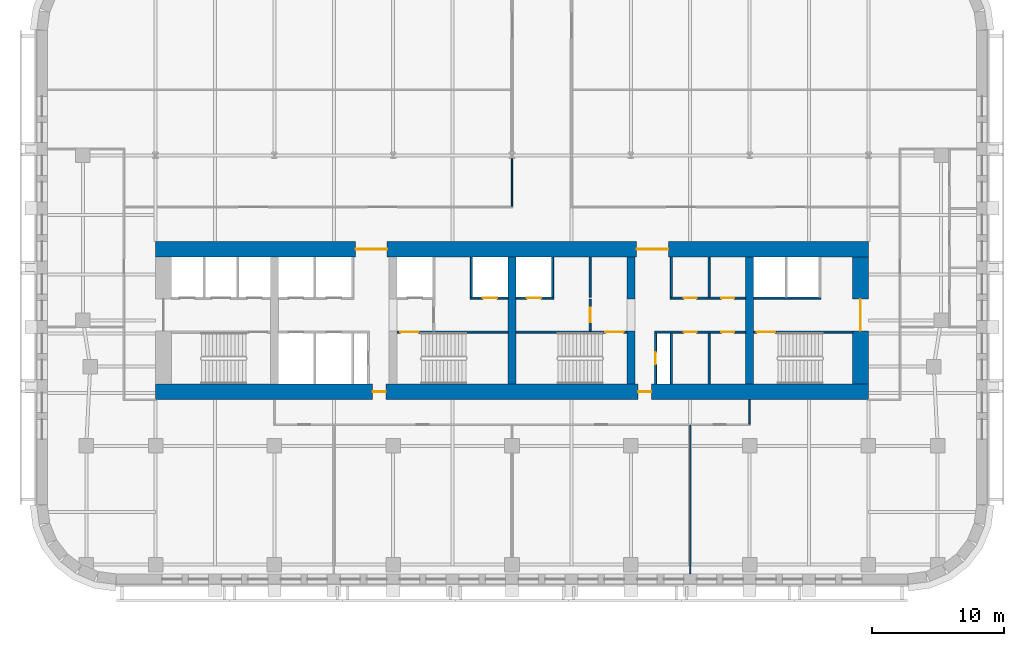
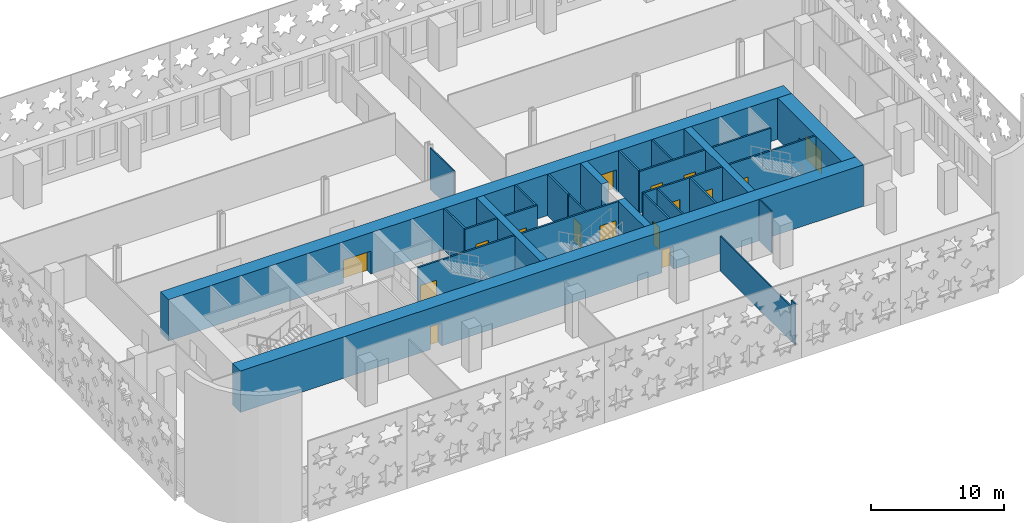
# One storey, part 6 of 15: 28 walls, 16 doors, 16 openings.
"""IFC4 building model written with IfcOpenShell, lengths in metres."""

from ifc_helpers import new_model, si_unit, direction, frame, frame_2d, origin, place, context, subcontext, project, spatial, rectangle, extrude, material, layer, layer_set, type_object, element, fill, save


model = new_model("IFC4")

# Units and contexts
model_context = context("Model", 3, precision=1e-05, world=origin(), true_north=direction((0.0, 1.0)))
body_context = subcontext(model_context, "Body", "Model", "MODEL_VIEW")
ifc_project = project(units=[si_unit("LENGTHUNIT", "METRE"), si_unit("AREAUNIT", "SQUARE_METRE"), si_unit("VOLUMEUNIT", "CUBIC_METRE"), si_unit("PLANEANGLEUNIT", "RADIAN"), si_unit("MASSUNIT", "GRAM", prefix="KILO")], contexts=[model_context])

# Site, building, storey
site_placement = place(None, origin())
site = spatial("IfcSite", under=ifc_project, at=site_placement, CompositionType="ELEMENT")
building_placement = place(site_placement, origin())
building = spatial("IfcBuilding", under=site, at=building_placement, Name="Zellij Exchange Tower", CompositionType="ELEMENT")
storey_placement = place(building_placement, frame((0.0, 0.0, 76.5)))
storey = spatial("IfcBuildingStorey", under=building, at=storey_placement, Name="L15", CompositionType="ELEMENT", Elevation=76.5)

# Walls
ifc_material_1 = material(Name="Concrete C70/85", Category="concrete")
ifc_layer_1 = layer(ifc_material_1, 0.60009765625)
ifc_layer_set_1 = layer_set([ifc_layer_1], Name="Concrete C70/85")
wall_type_1 = type_object("IfcWallType", Name="CORE-CW 600 C70/85", PredefinedType="SHEAR", material=ifc_layer_set_1)
wall_1_placement = place(storey_placement, frame((0.0, -12.800048828125, 0.0), z_axis=(0.0, 0.0, 1.0), x_axis=(0.0, 1.0, 0.0)))
element("IfcWall", 1, at=wall_1_placement, inside=storey, type_object=wall_type_1, Name="Core cross wall x 0 L15", PredefinedType="SHEAR", context=body_context, shape_type="SweptSolid", body=[
    extrude(rectangle(XDim=9.60009765625, YDim=0.60009765625, at=frame_2d((4.800048828125, 0.0))), origin(), (0.0, 0.0, 1.0), 3.800048828125),
])
wall_2_placement = place(storey_placement, frame((9.0, -12.800048828125, 0.0), z_axis=(0.0, 0.0, 1.0), x_axis=(0.0, 1.0, 0.0)))
element("IfcWall", 2, at=wall_2_placement, inside=storey, type_object=wall_type_1, Name="Core cross wall pier x 9 a L15", PredefinedType="SHEAR", context=body_context, shape_type="SweptSolid", body=[
    extrude(rectangle(XDim=4.0, YDim=0.60009765625, at=frame_2d((2.0, 0.0))), origin(), (0.0, 0.0, 1.0), 3.800048828125),
])
wall_3_placement = place(storey_placement, frame((9.0, -6.375, 0.0), z_axis=(0.0, 0.0, 1.0), x_axis=(0.0, 1.0, 0.0)))
element("IfcWall", 3, at=wall_3_placement, inside=storey, type_object=wall_type_1, Name="Core cross wall pier x 9 b L15", PredefinedType="SHEAR", context=body_context, shape_type="SweptSolid", body=[
    extrude(rectangle(XDim=3.175048828125, YDim=0.60009765625, at=frame_2d((1.58740234375, 0.0))), origin(), (0.0, 0.0, 1.0), 3.800048828125),
])
wall_4_placement = place(storey_placement, frame((18.0, -12.800048828125, 0.0), z_axis=(0.0, 0.0, 1.0), x_axis=(0.0, 1.0, 0.0)))
element("IfcWall", 4, at=wall_4_placement, inside=storey, type_object=wall_type_1, Name="Core cross wall x 18 L15", PredefinedType="SHEAR", context=body_context, shape_type="SweptSolid", body=[
    extrude(rectangle(XDim=9.60009765625, YDim=0.60009765625, at=frame_2d((4.800048828125, 0.0))), origin(), (0.0, 0.0, 1.0), 3.800048828125),
])

# Wall, opening, door
ifc_material_2 = material(Name="Gypsum shaft wall system")
ifc_layer_2 = layer(ifc_material_2, 0.14990234375)
ifc_layer_set_2 = layer_set([ifc_layer_2], Name="Gypsum shaft wall system")
wall_type_2 = type_object("IfcWallType", Name="CORE-PW 150 Firefighting lobby wall", PredefinedType="PARTITIONING", material=ifc_layer_set_2)
wall_5_placement = place(storey_placement, frame((5.925048828125, -8.800048828125, 0.0), z_axis=(0.0, 0.0, 1.0), x_axis=(0.0, 1.0, 0.0)))
wall_5 = element("IfcWall", 5, at=wall_5_placement, inside=storey, type_object=wall_type_2, Name="Firefighting lobby wall L15", PredefinedType="PARTITIONING", context=body_context, shape_type="SweptSolid", body=[
    extrude(rectangle(XDim=2.425048828125, YDim=0.14990234375, at=frame_2d((1.21240234375, 0.0))), origin(), (0.0, 0.0, 1.0), 3.800048828125),
])
opening_1_placement = place(wall_5_placement, frame((0.662109375, 0.0, 0.0)))
opening_1 = element("IfcOpeningElement", 6, at=opening_1_placement, cuts=wall_5, Name="Opening CA-09.18", PredefinedType="OPENING", context=body_context, shape_type="SweptSolid", body=[
    extrude(rectangle(XDim=1.10009765625, YDim=2.10009765625, at=frame_2d((0.550048828125, 1.050048828125))), frame((0.0, 0.0869140625, 0.0), z_axis=(0.0, -1.0, 0.0), x_axis=(1.0, 0.0, 0.0)), (0.0, 0.0, 1.0), 0.173828125),
])
ifc_material_3 = material(Name="Hollow metal fire door")
door_type_1 = type_object("IfcDoorType", Name="CORE-D F Firefighting lobby door 1100x2100 1 HR", OperationType="NOTDEFINED", PredefinedType="DOOR", material=ifc_material_3)
door_1_placement = place(opening_1_placement, origin())
door_1 = element("IfcDoor", 7, at=door_1_placement, inside=storey, type_object=door_type_1, Name="Firefighting lobby door CA-09.18", OperationType="SINGLE_SWING_RIGHT", OverallHeight=2.10009765625, OverallWidth=1.10009765625, PredefinedType="DOOR", context=body_context, shape_type="SweptSolid", body=[
    extrude(rectangle(XDim=1.10009765625, YDim=2.10009765625, at=frame_2d((0.550048828125, 1.050048828125))), frame((0.0, 0.02490234375, 0.0), z_axis=(0.0, -1.0, 0.0), x_axis=(1.0, 0.0, 0.0)), (0.0, 0.0, 1.0), 0.050048828125),
])
fill(opening_1, door_1)

# Walls
ifc_material_4 = material(Name="Gypsum board partition")
ifc_layer_3 = layer(ifc_material_4, 0.14990234375)
ifc_layer_set_3 = layer_set([ifc_layer_3], Name="Gypsum board partition")
wall_type_3 = type_object("IfcWallType", Name="CORE-PW 150 Lift lobby wall", PredefinedType="PARTITIONING", material=ifc_layer_set_3)
for number, where, z_axis, x_axis, name in (
    (8, (5.925048828125, -6.22509765625, 0.0), (0.0, 0.0, 1.0), (0.0, 1.0, 0.0), "Lift lobby wall L15"),
    (9, (12.074951171875, -6.22509765625, 0.0), (0.0, 0.0, 1.0), (0.0, 1.0, 0.0), "Lift lobby wall L15"),
    (10, (14.925048828125, -6.22509765625, 0.0), (0.0, 0.0, 1.0), (0.0, 1.0, 0.0), "Lift lobby wall L15"),
):
    element("IfcWall", number, at=place(storey_placement, frame(where, z_axis=z_axis, x_axis=x_axis)), inside=storey, type_object=wall_type_3, Name=name, PredefinedType="PARTITIONING", context=body_context, shape_type="SweptSolid", body=[
        extrude(rectangle(XDim=3.025146484375, YDim=0.14990234375, at=frame_2d((1.5126953125, 0.0))), origin(), (0.0, 0.0, 1.0), 3.800048828125),
    ])

# Wall, opening, door
wall_6_placement = place(storey_placement, frame((10.875, -12.800048828125, 0.0), z_axis=(0.0, 0.0, 1.0), x_axis=(0.0, 1.0, 0.0)))
wall_6 = element("IfcWall", 11, at=wall_6_placement, inside=storey, type_object=wall_type_3, Name="Lift lobby wall L15", PredefinedType="PARTITIONING", context=body_context, shape_type="SweptSolid", body=[
    extrude(rectangle(XDim=3.85009765625, YDim=0.14990234375, at=frame_2d((1.925048828125, 0.0))), origin(), (0.0, 0.0, 1.0), 3.800048828125),
])
opening_2_placement = place(wall_6_placement, frame((1.47509765625, 0.0, 0.0)))
opening_2 = element("IfcOpeningElement", 12, at=opening_2_placement, cuts=wall_6, Name="Opening CA-09.22", PredefinedType="OPENING", context=body_context, shape_type="SweptSolid", body=[
    extrude(rectangle(XDim=0.89990234375, YDim=2.10009765625, at=frame_2d((0.449951171875, 1.050048828125))), frame((0.0, 0.0869140625, 0.0), z_axis=(0.0, -1.0, 0.0), x_axis=(1.0, 0.0, 0.0)), (0.0, 0.0, 1.0), 0.173828125),
])
door_type_2 = type_object("IfcDoorType", Name="CORE-D RD Riser door 900x2100 1.5 HR", OperationType="NOTDEFINED", PredefinedType="DOOR", material=ifc_material_3)
door_2_placement = place(opening_2_placement, origin())
door_2 = element("IfcDoor", 13, at=door_2_placement, inside=storey, type_object=door_type_2, Name="Riser door CA-09.22", OperationType="SINGLE_SWING_LEFT", OverallHeight=2.10009765625, OverallWidth=0.89990234375, PredefinedType="DOOR", context=body_context, shape_type="SweptSolid", body=[
    extrude(rectangle(XDim=0.89990234375, YDim=2.10009765625, at=frame_2d((0.449951171875, 1.050048828125))), frame((0.0, 0.02490234375, 0.0), z_axis=(0.0, -1.0, 0.0), x_axis=(1.0, 0.0, 0.0)), (0.0, 0.0, 1.0), 0.050048828125),
])
fill(opening_2, door_2)

# Walls
for number, where, z_axis, x_axis, name in (
    (14, (12.074951171875, -12.800048828125, 0.0), (0.0, 0.0, 1.0), (0.0, 1.0, 0.0), "Lift lobby wall L15"),
    (15, (14.925048828125, -12.800048828125, 0.0), (0.0, 0.0, 1.0), (0.0, 1.0, 0.0), "Lift lobby wall L15"),
):
    element("IfcWall", number, at=place(storey_placement, frame(where, z_axis=z_axis, x_axis=x_axis)), inside=storey, type_object=wall_type_3, Name=name, PredefinedType="PARTITIONING", context=body_context, shape_type="SweptSolid", body=[
        extrude(rectangle(XDim=3.85009765625, YDim=0.14990234375, at=frame_2d((1.925048828125, 0.0))), origin(), (0.0, 0.0, 1.0), 3.800048828125),
    ])

# Wall, openings, doors
wall_7_placement = place(storey_placement, frame((12.0, -6.300048828125, 0.0), z_axis=(0.0, 0.0, 1.0), x_axis=(1.0, 0.0, 0.0)))
wall_7 = element("IfcWall", 16, at=wall_7_placement, inside=storey, type_object=wall_type_3, Name="Lift lobby wall L15", PredefinedType="PARTITIONING", context=body_context, shape_type="SweptSolid", body=[
    extrude(rectangle(XDim=5.699951171875, YDim=0.14990234375, at=frame_2d((2.85009765625, 0.0))), origin(), (0.0, 0.0, 1.0), 3.800048828125),
])
opening_3_placement = place(wall_7_placement, frame((1.0, 0.0, 0.0)))
opening_3 = element("IfcOpeningElement", 17, at=opening_3_placement, cuts=wall_7, Name="Opening CA-09.24", PredefinedType="OPENING", context=body_context, shape_type="SweptSolid", body=[
    extrude(rectangle(XDim=1.0, YDim=2.10009765625, at=frame_2d((0.5, 1.050048828125))), frame((0.0, 0.0869140625, 0.0), z_axis=(0.0, -1.0, 0.0), x_axis=(1.0, 0.0, 0.0)), (0.0, 0.0, 1.0), 0.173828125),
])
opening_4_placement = place(wall_7_placement, frame((3.85009765625, 0.0, 0.0)))
opening_4 = element("IfcOpeningElement", 18, at=opening_4_placement, cuts=wall_7, Name="Opening CA-09.26", PredefinedType="OPENING", context=body_context, shape_type="SweptSolid", body=[
    extrude(rectangle(XDim=1.0, YDim=2.10009765625, at=frame_2d((0.5, 1.050048828125))), frame((0.0, 0.0869140625, 0.0), z_axis=(0.0, -1.0, 0.0), x_axis=(1.0, 0.0, 0.0)), (0.0, 0.0, 1.0), 0.173828125),
])
door_type_3 = type_object("IfcDoorType", Name="CORE-D CD Core room door 1000x2100 1 HR", OperationType="NOTDEFINED", PredefinedType="DOOR", material=ifc_material_3)
door_3_placement = place(opening_3_placement, origin())
door_3 = element("IfcDoor", 19, at=door_3_placement, inside=storey, type_object=door_type_3, Name="Core room door CA-09.24", OperationType="SINGLE_SWING_LEFT", OverallHeight=2.10009765625, OverallWidth=1.0, PredefinedType="DOOR", context=body_context, shape_type="SweptSolid", body=[
    extrude(rectangle(XDim=1.0, YDim=2.10009765625, at=frame_2d((0.5, 1.050048828125))), frame((0.0, 0.02490234375, 0.0), z_axis=(0.0, -1.0, 0.0), x_axis=(1.0, 0.0, 0.0)), (0.0, 0.0, 1.0), 0.050048828125),
])
fill(opening_3, door_3)
door_4_placement = place(opening_4_placement, origin())
door_4 = element("IfcDoor", 20, at=door_4_placement, inside=storey, type_object=door_type_3, Name="Core room door CA-09.26", OperationType="SINGLE_SWING_RIGHT", OverallHeight=2.10009765625, OverallWidth=1.0, PredefinedType="DOOR", context=body_context, shape_type="SweptSolid", body=[
    extrude(rectangle(XDim=1.0, YDim=2.10009765625, at=frame_2d((0.5, 1.050048828125))), frame((0.0, 0.02490234375, 0.0), z_axis=(0.0, -1.0, 0.0), x_axis=(1.0, 0.0, 0.0)), (0.0, 0.0, 1.0), 0.050048828125),
])
fill(opening_4, door_4)

wall_8_placement = place(storey_placement, frame((10.800048828125, -8.875, 0.0), z_axis=(0.0, 0.0, 1.0), x_axis=(1.0, 0.0, 0.0)))
wall_8 = element("IfcWall", 21, at=wall_8_placement, inside=storey, type_object=wall_type_3, Name="Lift lobby wall L15", PredefinedType="PARTITIONING", context=body_context, shape_type="SweptSolid", body=[
    extrude(rectangle(XDim=6.89990234375, YDim=0.14990234375, at=frame_2d((3.449951171875, 0.0))), origin(), (0.0, 0.0, 1.0), 3.800048828125),
])
opening_5_placement = place(wall_8_placement, frame((2.199951171875, 0.0, 0.0)))
opening_5 = element("IfcOpeningElement", 22, at=opening_5_placement, cuts=wall_8, Name="Opening CA-09.23", PredefinedType="OPENING", context=body_context, shape_type="SweptSolid", body=[
    extrude(rectangle(XDim=1.0, YDim=2.10009765625, at=frame_2d((0.5, 1.050048828125))), frame((0.0, 0.0869140625, 0.0), z_axis=(0.0, -1.0, 0.0), x_axis=(1.0, 0.0, 0.0)), (0.0, 0.0, 1.0), 0.173828125),
])
opening_6_placement = place(wall_8_placement, frame((5.050048828125, 0.0, 0.0)))
opening_6 = element("IfcOpeningElement", 23, at=opening_6_placement, cuts=wall_8, Name="Opening CA-09.25", PredefinedType="OPENING", context=body_context, shape_type="SweptSolid", body=[
    extrude(rectangle(XDim=1.0, YDim=2.10009765625, at=frame_2d((0.5, 1.050048828125))), frame((0.0, 0.0869140625, 0.0), z_axis=(0.0, -1.0, 0.0), x_axis=(1.0, 0.0, 0.0)), (0.0, 0.0, 1.0), 0.173828125),
])
door_5_placement = place(opening_6_placement, origin())
door_5 = element("IfcDoor", 24, at=door_5_placement, inside=storey, type_object=door_type_3, Name="Core room door CA-09.25", OperationType="SINGLE_SWING_LEFT", OverallHeight=2.10009765625, OverallWidth=1.0, PredefinedType="DOOR", context=body_context, shape_type="SweptSolid", body=[
    extrude(rectangle(XDim=1.0, YDim=2.10009765625, at=frame_2d((0.5, 1.050048828125))), frame((0.0, 0.02490234375, 0.0), z_axis=(0.0, -1.0, 0.0), x_axis=(1.0, 0.0, 0.0)), (0.0, 0.0, 1.0), 0.050048828125),
])
fill(opening_6, door_5)
door_type_4 = type_object("IfcDoorType", Name="CORE-D CDA Core room door 1000x2100 1.5 HR", OperationType="NOTDEFINED", PredefinedType="DOOR", material=ifc_material_3)
door_6_placement = place(opening_5_placement, origin())
door_6 = element("IfcDoor", 25, at=door_6_placement, inside=storey, type_object=door_type_4, Name="Core room door CA-09.23", OperationType="SINGLE_SWING_RIGHT", OverallHeight=2.10009765625, OverallWidth=1.0, PredefinedType="DOOR", context=body_context, shape_type="SweptSolid", body=[
    extrude(rectangle(XDim=1.0, YDim=2.10009765625, at=frame_2d((0.5, 1.050048828125))), frame((0.0, 0.02490234375, 0.0), z_axis=(0.0, -1.0, 0.0), x_axis=(1.0, 0.0, 0.0)), (0.0, 0.0, 1.0), 0.050048828125),
])
fill(opening_5, door_6)

# Walls
ifc_layer_4 = layer(ifc_material_2, 0.14990234375)
ifc_layer_set_4 = layer_set([ifc_layer_4], Name="Gypsum shaft wall system")
wall_type_4 = type_object("IfcWallType", Name="CORE-PW 150 Lift shaft wall", PredefinedType="PARTITIONING", material=ifc_layer_set_4)
for number, where, z_axis, x_axis, name in (
    (26, (-3.074951171875, -6.22509765625, 0.0), (0.0, 0.0, 1.0), (0.0, 1.0, 0.0), "Lift shaft wall L15"),
    (27, (3.074951171875, -6.22509765625, 0.0), (0.0, 0.0, 1.0), (0.0, 1.0, 0.0), "Lift shaft wall L15"),
):
    element("IfcWall", number, at=place(storey_placement, frame(where, z_axis=z_axis, x_axis=x_axis)), inside=storey, type_object=wall_type_4, Name=name, PredefinedType="PARTITIONING", context=body_context, shape_type="SweptSolid", body=[
        extrude(rectangle(XDim=3.025146484375, YDim=0.14990234375, at=frame_2d((1.5126953125, 0.0))), origin(), (0.0, 0.0, 1.0), 3.800048828125),
    ])

# Wall, opening, door
wall_9_placement = place(storey_placement, frame((-3.14990234375, -6.300048828125, 0.0), z_axis=(0.0, 0.0, 1.0), x_axis=(1.0, 0.0, 0.0)))
wall_9 = element("IfcWall", 28, at=wall_9_placement, inside=storey, type_object=wall_type_4, Name="Lift shaft wall L15", PredefinedType="PARTITIONING", context=body_context, shape_type="SweptSolid", body=[
    extrude(rectangle(XDim=2.849853515625, YDim=0.14990234375, at=frame_2d((1.4248046875, 0.0))), origin(), (0.0, 0.0, 1.0), 3.800048828125),
])
opening_7_placement = place(wall_9_placement, frame((0.949951171875, 0.0, 0.0)))
opening_7 = element("IfcOpeningElement", 29, at=opening_7_placement, cuts=wall_9, Name="Opening CA-09.16", PredefinedType="OPENING", context=body_context, shape_type="SweptSolid", body=[
    extrude(rectangle(XDim=1.10009765625, YDim=2.10009765625, at=frame_2d((0.550048828125, 1.050048828125))), frame((0.0, 0.0869140625, 0.0), z_axis=(0.0, -1.0, 0.0), x_axis=(1.0, 0.0, 0.0)), (0.0, 0.0, 1.0), 0.173828125),
])
door_type_5 = type_object("IfcDoorType", Name="CORE-D LD Lift landing door 1100x2100 1.5 HR", OperationType="NOTDEFINED", PredefinedType="DOOR", material=ifc_material_3)
door_7_placement = place(opening_7_placement, origin())
door_7 = element("IfcDoor", 30, at=door_7_placement, inside=storey, type_object=door_type_5, Name="Lift landing door CA-09.16", OperationType="SLIDING_TO_RIGHT", OverallHeight=2.10009765625, OverallWidth=1.10009765625, PredefinedType="DOOR", context=body_context, shape_type="SweptSolid", body=[
    extrude(rectangle(XDim=1.10009765625, YDim=2.10009765625, at=frame_2d((0.550048828125, 1.050048828125))), frame((0.0, 0.02490234375, 0.0), z_axis=(0.0, -1.0, 0.0), x_axis=(1.0, 0.0, 0.0)), (0.0, 0.0, 1.0), 0.050048828125),
])
fill(opening_7, door_7)

wall_10_placement = place(storey_placement, frame((0.300048828125, -6.300048828125, 0.0), z_axis=(0.0, 0.0, 1.0), x_axis=(1.0, 0.0, 0.0)))
wall_10 = element("IfcWall", 31, at=wall_10_placement, inside=storey, type_object=wall_type_4, Name="Lift shaft wall L15", PredefinedType="PARTITIONING", context=body_context, shape_type="SweptSolid", body=[
    extrude(rectangle(XDim=2.849853515625, YDim=0.14990234375, at=frame_2d((1.4248046875, 0.0))), origin(), (0.0, 0.0, 1.0), 3.800048828125),
])
opening_8_placement = place(wall_10_placement, frame((0.800048828125, 0.0, 0.0)))
opening_8 = element("IfcOpeningElement", 32, at=opening_8_placement, cuts=wall_10, Name="Opening CA-09.17", PredefinedType="OPENING", context=body_context, shape_type="SweptSolid", body=[
    extrude(rectangle(XDim=1.10009765625, YDim=2.10009765625, at=frame_2d((0.550048828125, 1.050048828125))), frame((0.0, 0.0869140625, 0.0), z_axis=(0.0, -1.0, 0.0), x_axis=(1.0, 0.0, 0.0)), (0.0, 0.0, 1.0), 0.173828125),
])
door_8_placement = place(opening_8_placement, origin())
door_8 = element("IfcDoor", 33, at=door_8_placement, inside=storey, type_object=door_type_5, Name="Lift landing door CA-09.17", OperationType="SLIDING_TO_LEFT", OverallHeight=2.10009765625, OverallWidth=1.10009765625, PredefinedType="DOOR", context=body_context, shape_type="SweptSolid", body=[
    extrude(rectangle(XDim=1.10009765625, YDim=2.10009765625, at=frame_2d((0.550048828125, 1.050048828125))), frame((0.0, 0.02490234375, 0.0), z_axis=(0.0, -1.0, 0.0), x_axis=(1.0, 0.0, 0.0)), (0.0, 0.0, 1.0), 0.050048828125),
])
fill(opening_8, door_8)

# Wall
wall_11_placement = place(storey_placement, frame((18.300048828125, -6.300048828125, 0.0), z_axis=(0.0, 0.0, 1.0), x_axis=(1.0, 0.0, 0.0)))
element("IfcWall", 34, at=wall_11_placement, inside=storey, type_object=wall_type_4, Name="Lift shaft wall L15", PredefinedType="PARTITIONING", context=body_context, shape_type="SweptSolid", body=[
    extrude(rectangle(XDim=5.099853515625, YDim=0.14990234375, at=frame_2d((2.5498046875, 0.0))), origin(), (0.0, 0.0, 1.0), 3.800048828125),
])

# Wall, openings, doors
ifc_layer_5 = layer(ifc_material_1, 1.199951171875)
ifc_layer_set_5 = layer_set([ifc_layer_5], Name="Concrete C70/85")
wall_type_5 = type_object("IfcWallType", Name="CORE-SW 1200 C70/85", PredefinedType="SHEAR", material=ifc_layer_set_5)
wall_12_placement = place(storey_placement, frame((-27.0, -2.60009765625, 0.0), z_axis=(0.0, 0.0, 1.0), x_axis=(1.0, 0.0, 0.0)))
wall_12 = element("IfcWall", 35, at=wall_12_placement, inside=storey, type_object=wall_type_5, Name="Core shear wall front L15", PredefinedType="SHEAR", context=body_context, shape_type="SweptSolid", body=[
    extrude(rectangle(XDim=54.0, YDim=1.199951171875, at=frame_2d((27.0, 0.0))), origin(), (0.0, 0.0, 1.0), 3.800048828125),
])
opening_9_placement = place(wall_12_placement, frame((15.14990234375, 0.0, 0.0)))
opening_9 = element("IfcOpeningElement", 36, at=opening_9_placement, cuts=wall_12, Name="Opening CA-09.11", PredefinedType="OPENING", context=body_context, shape_type="SweptSolid", body=[
    extrude(rectangle(XDim=2.39990234375, YDim=2.10009765625, at=frame_2d((1.199951171875, 1.050048828125))), frame((0.0, 0.61181640625, 0.0), z_axis=(0.0, -1.0, 0.0), x_axis=(1.0, 0.0, 0.0)), (0.0, 0.0, 1.0), 1.223876953125),
])
opening_10_placement = place(wall_12_placement, frame((36.449951171875, 0.0, 0.0)))
opening_10 = element("IfcOpeningElement", 37, at=opening_10_placement, cuts=wall_12, Name="Opening CA-09.21", PredefinedType="OPENING", context=body_context, shape_type="SweptSolid", body=[
    extrude(rectangle(XDim=2.39990234375, YDim=2.10009765625, at=frame_2d((1.199951171875, 1.050048828125))), frame((0.0, 0.61181640625, 0.0), z_axis=(0.0, -1.0, 0.0), x_axis=(1.0, 0.0, 0.0)), (0.0, 0.0, 1.0), 1.223876953125),
])
door_type_6 = type_object("IfcDoorType", Name="CORE-D CE Core entrance door 2400x2100 20 MIN", OperationType="NOTDEFINED", PredefinedType="DOOR", material=ifc_material_3)
door_9_placement = place(opening_9_placement, origin())
door_9 = element("IfcDoor", 38, at=door_9_placement, inside=storey, type_object=door_type_6, Name="Core entrance door CA-09.11", OperationType="DOUBLE_DOOR_SINGLE_SWING", OverallHeight=2.10009765625, OverallWidth=2.39990234375, PredefinedType="DOOR", context=body_context, shape_type="SweptSolid", body=[
    extrude(rectangle(XDim=2.39990234375, YDim=2.10009765625, at=frame_2d((1.199951171875, 1.050048828125))), frame((0.0, 0.02490234375, 0.0), z_axis=(0.0, -1.0, 0.0), x_axis=(1.0, 0.0, 0.0)), (0.0, 0.0, 1.0), 0.050048828125),
])
fill(opening_9, door_9)
door_10_placement = place(opening_10_placement, origin())
door_10 = element("IfcDoor", 39, at=door_10_placement, inside=storey, type_object=door_type_6, Name="Core entrance door CA-09.21", OperationType="DOUBLE_DOOR_SINGLE_SWING", OverallHeight=2.10009765625, OverallWidth=2.39990234375, PredefinedType="DOOR", context=body_context, shape_type="SweptSolid", body=[
    extrude(rectangle(XDim=2.39990234375, YDim=2.10009765625, at=frame_2d((1.199951171875, 1.050048828125))), frame((0.0, 0.02490234375, 0.0), z_axis=(0.0, -1.0, 0.0), x_axis=(1.0, 0.0, 0.0)), (0.0, 0.0, 1.0), 0.050048828125),
])
fill(opening_10, door_10)

wall_13_placement = place(storey_placement, frame((-27.0, -13.39990234375, 0.0), z_axis=(0.0, 0.0, 1.0), x_axis=(1.0, 0.0, 0.0)))
wall_13 = element("IfcWall", 40, at=wall_13_placement, inside=storey, type_object=wall_type_5, Name="Core shear wall rear L15", PredefinedType="SHEAR", context=body_context, shape_type="SweptSolid", body=[
    extrude(rectangle(XDim=54.0, YDim=1.199951171875, at=frame_2d((27.0, 0.0))), origin(), (0.0, 0.0, 1.0), 3.800048828125),
])
opening_11_placement = place(wall_13_placement, frame((16.449951171875, 0.0, 0.0)))
opening_11 = element("IfcOpeningElement", 41, at=opening_11_placement, cuts=wall_13, Name="Opening CA-09.12", PredefinedType="OPENING", context=body_context, shape_type="SweptSolid", body=[
    extrude(rectangle(XDim=1.0, YDim=2.10009765625, at=frame_2d((0.5, 1.050048828125))), frame((0.0, 0.61181640625, 0.0), z_axis=(0.0, -1.0, 0.0), x_axis=(1.0, 0.0, 0.0)), (0.0, 0.0, 1.0), 1.223876953125),
])
opening_12_placement = place(wall_13_placement, frame((36.550048828125, 0.0, 0.0)))
opening_12 = element("IfcOpeningElement", 42, at=opening_12_placement, cuts=wall_13, Name="Opening CA-09.20", PredefinedType="OPENING", context=body_context, shape_type="SweptSolid", body=[
    extrude(rectangle(XDim=1.0, YDim=2.10009765625, at=frame_2d((0.5, 1.050048828125))), frame((0.0, 0.61181640625, 0.0), z_axis=(0.0, -1.0, 0.0), x_axis=(1.0, 0.0, 0.0)), (0.0, 0.0, 1.0), 1.223876953125),
])
door_type_7 = type_object("IfcDoorType", Name="CORE-D CR Core rear door 1000x2100 20 MIN", OperationType="NOTDEFINED", PredefinedType="DOOR", material=ifc_material_3)
door_11_placement = place(opening_11_placement, origin())
door_11 = element("IfcDoor", 43, at=door_11_placement, inside=storey, type_object=door_type_7, Name="Core rear door CA-09.12", OperationType="SINGLE_SWING_RIGHT", OverallHeight=2.10009765625, OverallWidth=1.0, PredefinedType="DOOR", context=body_context, shape_type="SweptSolid", body=[
    extrude(rectangle(XDim=1.0, YDim=2.10009765625, at=frame_2d((0.5, 1.050048828125))), frame((0.0, 0.02490234375, 0.0), z_axis=(0.0, -1.0, 0.0), x_axis=(1.0, 0.0, 0.0)), (0.0, 0.0, 1.0), 0.050048828125),
])
fill(opening_11, door_11)
door_12_placement = place(opening_12_placement, origin())
door_12 = element("IfcDoor", 44, at=door_12_placement, inside=storey, type_object=door_type_7, Name="Core rear door CA-09.20", OperationType="SINGLE_SWING_LEFT", OverallHeight=2.10009765625, OverallWidth=1.0, PredefinedType="DOOR", context=body_context, shape_type="SweptSolid", body=[
    extrude(rectangle(XDim=1.0, YDim=2.10009765625, at=frame_2d((0.5, 1.050048828125))), frame((0.0, 0.02490234375, 0.0), z_axis=(0.0, -1.0, 0.0), x_axis=(1.0, 0.0, 0.0)), (0.0, 0.0, 1.0), 0.050048828125),
])
fill(opening_12, door_12)

# Wall, opening, door
wall_14_placement = place(storey_placement, frame((26.39990234375, -12.800048828125, 0.0), z_axis=(0.0, 0.0, 1.0), x_axis=(0.0, 1.0, 0.0)))
wall_14 = element("IfcWall", 45, at=wall_14_placement, inside=storey, type_object=wall_type_5, Name="Core shear wall end e L15", PredefinedType="SHEAR", context=body_context, shape_type="SweptSolid", body=[
    extrude(rectangle(XDim=9.60009765625, YDim=1.199951171875, at=frame_2d((4.800048828125, 0.0))), origin(), (0.0, 0.0, 1.0), 3.800048828125),
])
opening_13_placement = place(wall_14_placement, frame((4.011962890625, 0.0, 0.0)))
opening_13 = element("IfcOpeningElement", 46, at=opening_13_placement, cuts=wall_14, Name="Opening CA-09.28", PredefinedType="OPENING", context=body_context, shape_type="SweptSolid", body=[
    extrude(rectangle(XDim=2.39990234375, YDim=2.10009765625, at=frame_2d((1.199951171875, 1.050048828125))), frame((0.0, 0.61181640625, 0.0), z_axis=(0.0, -1.0, 0.0), x_axis=(1.0, 0.0, 0.0)), (0.0, 0.0, 1.0), 1.223876953125),
])
door_13_placement = place(opening_13_placement, origin())
door_13 = element("IfcDoor", 47, at=door_13_placement, inside=storey, type_object=door_type_6, Name="Core entrance door CA-09.28", OperationType="DOUBLE_DOOR_SINGLE_SWING", OverallHeight=2.10009765625, OverallWidth=2.39990234375, PredefinedType="DOOR", context=body_context, shape_type="SweptSolid", body=[
    extrude(rectangle(XDim=2.39990234375, YDim=2.10009765625, at=frame_2d((1.199951171875, 1.050048828125))), frame((0.0, 0.02490234375, 0.0), z_axis=(0.0, -1.0, 0.0), x_axis=(1.0, 0.0, 0.0)), (0.0, 0.0, 1.0), 0.050048828125),
])
fill(opening_13, door_13)

ifc_layer_6 = layer(ifc_material_1, 0.14990234375)
ifc_layer_set_6 = layer_set([ifc_layer_6], Name="Concrete C70/85")
wall_type_6 = type_object("IfcWallType", Name="CORE-SWS 150 C70/85", PredefinedType="SHEAR", material=ifc_layer_set_6)
wall_15_placement = place(storey_placement, frame((-8.699951171875, -8.875, 0.0), z_axis=(0.0, 0.0, 1.0), x_axis=(1.0, 0.0, 0.0)))
wall_15 = element("IfcWall", 48, at=wall_15_placement, inside=storey, type_object=wall_type_6, Name="Stair enclosure wall L15", PredefinedType="SHEAR", context=body_context, shape_type="SweptSolid", body=[
    extrude(rectangle(XDim=8.39990234375, YDim=0.14990234375, at=frame_2d((4.199951171875, 0.0))), origin(), (0.0, 0.0, 1.0), 3.800048828125),
])
opening_14_placement = place(wall_15_placement, frame((0.22509765625, 0.0, 0.0)))
opening_14 = element("IfcOpeningElement", 49, at=opening_14_placement, cuts=wall_15, Name="Opening CA-09.13", PredefinedType="OPENING", context=body_context, shape_type="SweptSolid", body=[
    extrude(rectangle(XDim=1.39990234375, YDim=2.10009765625, at=frame_2d((0.699951171875, 1.050048828125))), frame((0.0, 0.0869140625, 0.0), z_axis=(0.0, -1.0, 0.0), x_axis=(1.0, 0.0, 0.0)), (0.0, 0.0, 1.0), 0.173828125),
])
door_type_8 = type_object("IfcDoorType", Name="CORE-D SD Stair door 1400x2100 1.5 HR", OperationType="NOTDEFINED", PredefinedType="DOOR", material=ifc_material_3)
door_14_placement = place(opening_14_placement, origin())
door_14 = element("IfcDoor", 50, at=door_14_placement, inside=storey, type_object=door_type_8, Name="Stair door CA-09.13", OperationType="DOUBLE_DOOR_SINGLE_SWING", OverallHeight=2.10009765625, OverallWidth=1.39990234375, PredefinedType="DOOR", context=body_context, shape_type="SweptSolid", body=[
    extrude(rectangle(XDim=1.39990234375, YDim=2.10009765625, at=frame_2d((0.699951171875, 1.050048828125))), frame((0.0, 0.02490234375, 0.0), z_axis=(0.0, -1.0, 0.0), x_axis=(1.0, 0.0, 0.0)), (0.0, 0.0, 1.0), 0.050048828125),
])
fill(opening_14, door_14)

wall_16_placement = place(storey_placement, frame((0.300048828125, -8.875, 0.0), z_axis=(0.0, 0.0, 1.0), x_axis=(1.0, 0.0, 0.0)))
wall_16 = element("IfcWall", 51, at=wall_16_placement, inside=storey, type_object=wall_type_6, Name="Stair enclosure wall L15", PredefinedType="SHEAR", context=body_context, shape_type="SweptSolid", body=[
    extrude(rectangle(XDim=8.39990234375, YDim=0.14990234375, at=frame_2d((4.199951171875, 0.0))), origin(), (0.0, 0.0, 1.0), 3.800048828125),
])
opening_15_placement = place(wall_16_placement, frame((6.77490234375, 0.0, 0.0)))
opening_15 = element("IfcOpeningElement", 52, at=opening_15_placement, cuts=wall_16, Name="Opening CA-09.19", PredefinedType="OPENING", context=body_context, shape_type="SweptSolid", body=[
    extrude(rectangle(XDim=1.39990234375, YDim=2.10009765625, at=frame_2d((0.699951171875, 1.050048828125))), frame((0.0, 0.0869140625, 0.0), z_axis=(0.0, -1.0, 0.0), x_axis=(1.0, 0.0, 0.0)), (0.0, 0.0, 1.0), 0.173828125),
])
door_15_placement = place(opening_15_placement, origin())
door_15 = element("IfcDoor", 53, at=door_15_placement, inside=storey, type_object=door_type_8, Name="Stair door CA-09.19", OperationType="DOUBLE_DOOR_SINGLE_SWING", OverallHeight=2.10009765625, OverallWidth=1.39990234375, PredefinedType="DOOR", context=body_context, shape_type="SweptSolid", body=[
    extrude(rectangle(XDim=1.39990234375, YDim=2.10009765625, at=frame_2d((0.699951171875, 1.050048828125))), frame((0.0, 0.02490234375, 0.0), z_axis=(0.0, -1.0, 0.0), x_axis=(1.0, 0.0, 0.0)), (0.0, 0.0, 1.0), 0.050048828125),
])
fill(opening_15, door_15)

wall_17_placement = place(storey_placement, frame((18.300048828125, -8.875, 0.0), z_axis=(0.0, 0.0, 1.0), x_axis=(1.0, 0.0, 0.0)))
wall_17 = element("IfcWall", 54, at=wall_17_placement, inside=storey, type_object=wall_type_6, Name="Stair enclosure wall L15", PredefinedType="SHEAR", context=body_context, shape_type="SweptSolid", body=[
    extrude(rectangle(XDim=7.5, YDim=0.14990234375, at=frame_2d((3.75, 0.0))), origin(), (0.0, 0.0, 1.0), 3.800048828125),
])
opening_16_placement = place(wall_17_placement, frame((0.22509765625, 0.0, 0.0)))
opening_16 = element("IfcOpeningElement", 55, at=opening_16_placement, cuts=wall_17, Name="Opening CA-09.27", PredefinedType="OPENING", context=body_context, shape_type="SweptSolid", body=[
    extrude(rectangle(XDim=1.39990234375, YDim=2.10009765625, at=frame_2d((0.699951171875, 1.050048828125))), frame((0.0, 0.0869140625, 0.0), z_axis=(0.0, -1.0, 0.0), x_axis=(1.0, 0.0, 0.0)), (0.0, 0.0, 1.0), 0.173828125),
])
door_16_placement = place(opening_16_placement, origin())
door_16 = element("IfcDoor", 56, at=door_16_placement, inside=storey, type_object=door_type_8, Name="Stair door CA-09.27", OperationType="DOUBLE_DOOR_SINGLE_SWING", OverallHeight=2.10009765625, OverallWidth=1.39990234375, PredefinedType="DOOR", context=body_context, shape_type="SweptSolid", body=[
    extrude(rectangle(XDim=1.39990234375, YDim=2.10009765625, at=frame_2d((0.699951171875, 1.050048828125))), frame((0.0, 0.02490234375, 0.0), z_axis=(0.0, -1.0, 0.0), x_axis=(1.0, 0.0, 0.0)), (0.0, 0.0, 1.0), 0.050048828125),
])
fill(opening_16, door_16)

# Walls
ifc_material_5 = material(Name="Gypsum board partition on steel studs", Category="steel")
ifc_layer_7 = layer(ifc_material_5, 0.10009765625)
ifc_layer_set_7 = layer_set([ifc_layer_7], Name="Gypsum board partition on steel studs")
wall_type_7 = type_object("IfcWallType", Name="FIT-PARTITION-100", PredefinedType="PARTITIONING", material=ifc_layer_set_7)
wall_18_placement = place(storey_placement, frame((13.5, -27.199951171875, 0.0), z_axis=(0.0, 0.0, 1.0), x_axis=(0.0, 1.0, 0.0)))
element("IfcWall", 57, at=wall_18_placement, inside=storey, type_object=wall_type_7, Name="FIT-PARTITION-100 005", PredefinedType="PARTITIONING", context=body_context, shape_type="SweptSolid", body=[
    extrude(rectangle(XDim=0.58544921875, YDim=0.10009765625, at=frame_2d((0.292724609375, 0.0))), origin(), (0.0, 0.0, 1.0), 3.800048828125),
])
wall_19_placement = place(storey_placement, frame((13.5, -26.614501953125, 0.0), z_axis=(0.0, 0.0, 1.0), x_axis=(0.0, 1.0, 0.0)))
element("IfcWall", 58, at=wall_19_placement, inside=storey, type_object=wall_type_7, Name="FIT-PARTITION-100 006", PredefinedType="PARTITIONING", context=body_context, shape_type="SweptSolid", body=[
    extrude(rectangle(XDim=10.66455078125, YDim=0.10009765625, at=frame_2d((5.332275390625, 0.0))), origin(), (0.0, 0.0, 1.0), 3.197998046875),
])
wall_20_placement = place(storey_placement, frame((18.0, -15.85009765625, 0.0), z_axis=(0.0, 0.0, 1.0), x_axis=(0.0, 1.0, 0.0)))
element("IfcWall", 59, at=wall_20_placement, inside=storey, type_object=wall_type_7, Name="FIT-PARTITION-100 009", PredefinedType="PARTITIONING", context=body_context, shape_type="SweptSolid", body=[
    extrude(rectangle(XDim=1.85009765625, YDim=0.10009765625, at=frame_2d((0.925048828125, 0.0))), origin(), (0.0, 0.0, 1.0), 3.800048828125),
])
wall_21_placement = place(storey_placement, frame((0.0, 0.64990234375, 0.0), z_axis=(0.0, 0.0, 1.0), x_axis=(0.0, 1.0, 0.0)))
element("IfcWall", 60, at=wall_21_placement, inside=storey, type_object=wall_type_7, Name="FIT-PARTITION-100 022", PredefinedType="PARTITIONING", context=body_context, shape_type="SweptSolid", body=[
    extrude(rectangle(XDim=3.60107421875, YDim=0.10009765625, at=frame_2d((1.800537109375, 0.0))), origin(), (0.0, 0.0, 1.0), 3.800048828125),
])

save(model, "model.ifc")
